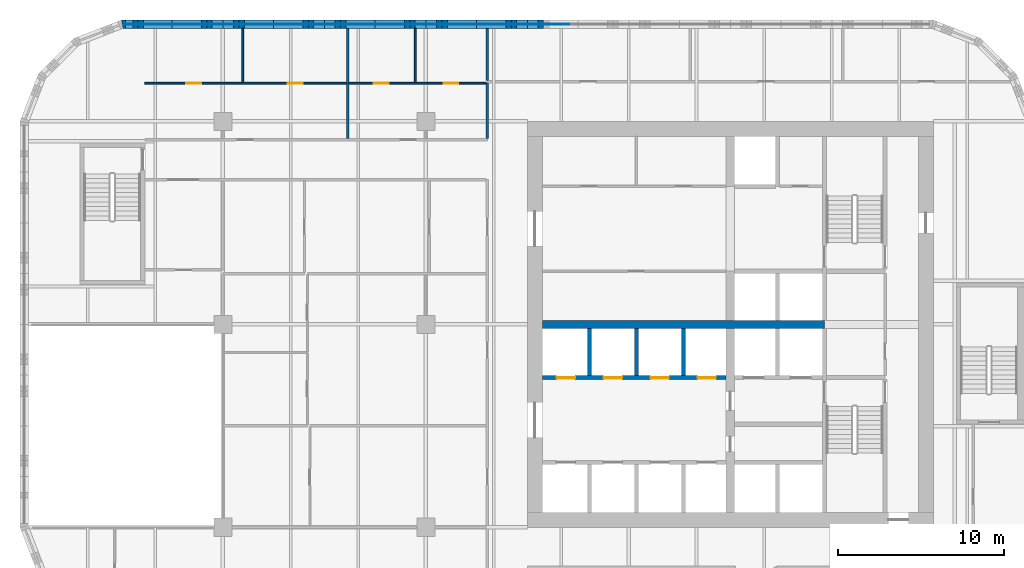
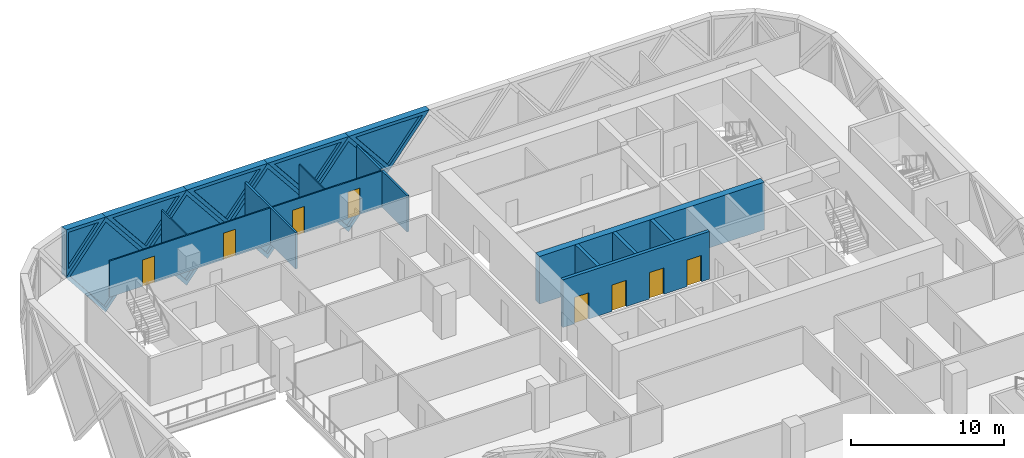
# One storey, part 11 of 24: 21 walls, 9 plates, 8 doors, 17 openings.
"""IFC4 building model written with IfcOpenShell, lengths in metres."""

from ifc_helpers import new_model, si_unit, direction, frame, frame_2d, origin, place, context, subcontext, project, spatial, polyline, rectangle, outline, extrude, faceted_brep, source, transform, mapped, material, layer, layer_set, type_object, element, fill, save


model = new_model("IFC4")

# Units and contexts
model_context = context("Model", 3, precision=1e-05, world=origin(), true_north=direction((0.0, 1.0)))
body_context = subcontext(model_context, "Body", "Model", "MODEL_VIEW")
ifc_project = project(units=[si_unit("LENGTHUNIT", "METRE"), si_unit("AREAUNIT", "SQUARE_METRE"), si_unit("VOLUMEUNIT", "CUBIC_METRE"), si_unit("PLANEANGLEUNIT", "RADIAN"), si_unit("MASSUNIT", "GRAM", prefix="KILO")], contexts=[model_context])

# Site, building, storey
site_placement = place(None, origin())
site = spatial("IfcSite", under=ifc_project, at=site_placement, CompositionType="ELEMENT")
building_placement = place(site_placement, origin())
building = spatial("IfcBuilding", under=site, at=building_placement, Name="Tessera Gate Towers", CompositionType="ELEMENT")
storey_placement = place(building_placement, frame((0.0, 0.0, 60.0)))
storey = spatial("IfcBuildingStorey", under=building, at=storey_placement, Name="L14", CompositionType="ELEMENT", Elevation=60.0)

# Wall, openings, doors
ifc_material_1 = material(Name="Concrete C40/50", Category="concrete")
ifc_layer_1 = layer(ifc_material_1, 0.25)
ifc_layer_set_1 = layer_set([ifc_layer_1], Name="CORE ENCLOSURE WALL 250")
wall_type_1 = type_object("IfcWallType", Name="CORE ENCLOSURE WALL 250", PredefinedType="SOLIDWALL", material=ifc_layer_set_1)
wall_1_placement = place(storey_placement, frame((42.449951171875, 33.39990234375, 0.0), z_axis=(0.0, 0.0, 1.0), x_axis=(-1.0, 0.0, 0.0)))
wall_1 = element("IfcWall", 1, at=wall_1_placement, inside=storey, type_object=wall_type_1, Name="L14 shaft and stair enclosure wall", PredefinedType="SOLIDWALL", context=body_context, shape_type="SweptSolid", body=[
    extrude(rectangle(XDim=11.050048828125, YDim=0.25, at=frame_2d((5.52490234375, 0.0))), origin(), (0.0, 0.0, 1.0), 3.800048828125),
])
shared_shape_1 = source(origin(), body_context, "Body", "SweptSolid", [
    extrude(rectangle(XDim=1.10009765625, YDim=2.10009765625, at=frame_2d((0.550048828125, 1.050048828125))), frame((0.0, 0.135009765625, 0.0), z_axis=(0.0, -1.0, 0.0), x_axis=(1.0, 0.0, 0.0)), (0.0, 0.0, 1.0), 0.27001953125),
])
opening_1_placement = place(wall_1_placement, frame((9.08740234375, 0.0, 0.0)))
opening_1 = element("IfcOpeningElement", 2, at=opening_1_placement, cuts=wall_1, Name="Opening LD-LR5", PredefinedType="OPENING", context=body_context, shape_type="MappedRepresentation", body=[
    mapped(shared_shape_1, transform((0.0, 0.0, 0.0), scale=1.0)),
])
opening_2_placement = place(wall_1_placement, frame((6.262451171875, 0.0, 0.0)))
opening_2 = element("IfcOpeningElement", 3, at=opening_2_placement, cuts=wall_1, Name="Opening LD-LR6", PredefinedType="OPENING", context=body_context, shape_type="MappedRepresentation", body=[
    mapped(shared_shape_1, transform((0.0, 0.0, 0.0), scale=1.0)),
])
opening_3_placement = place(wall_1_placement, frame((3.4375, 0.0, 0.0)))
opening_3 = element("IfcOpeningElement", 4, at=opening_3_placement, cuts=wall_1, Name="Opening LD-LR7", PredefinedType="OPENING", context=body_context, shape_type="MappedRepresentation", body=[
    mapped(shared_shape_1, transform((0.0, 0.0, 0.0), scale=1.0)),
])
opening_4_placement = place(wall_1_placement, frame((0.612548828125, 0.0, 0.0)))
opening_4 = element("IfcOpeningElement", 5, at=opening_4_placement, cuts=wall_1, Name="Opening LD-LR8", PredefinedType="OPENING", context=body_context, shape_type="MappedRepresentation", body=[
    mapped(shared_shape_1, transform((0.0, 0.0, 0.0), scale=1.0)),
])
ifc_material_2 = material(Name="Stainless steel", Category="steel")
door_type_1 = type_object("IfcDoorType", Name="CORE DOOR LD 1100x2100", OperationType="DOUBLE_DOOR_SLIDING", PredefinedType="DOOR", material=ifc_material_2)
shared_shape_2 = source(origin(), body_context, "Body", "SweptSolid", [
    extrude(rectangle(XDim=1.10009765625, YDim=2.10009765625, at=frame_2d((0.550048828125, 1.050048828125))), frame((0.0, 0.02490234375, 0.0), z_axis=(0.0, -1.0, 0.0), x_axis=(1.0, 0.0, 0.0)), (0.0, 0.0, 1.0), 0.050048828125),
])
door_1_placement = place(opening_1_placement, origin())
door_1 = element("IfcDoor", 6, at=door_1_placement, inside=storey, type_object=door_type_1, Name="Landing door LR5 L14", OperationType="DOUBLE_DOOR_SLIDING", OverallHeight=2.10009765625, OverallWidth=1.10009765625, PredefinedType="DOOR", context=body_context, shape_type="MappedRepresentation", body=[
    mapped(shared_shape_2, transform((0.0, 0.0, 0.0), scale=1.0)),
])
fill(opening_1, door_1)
door_2_placement = place(opening_2_placement, origin())
door_2 = element("IfcDoor", 7, at=door_2_placement, inside=storey, type_object=door_type_1, Name="Landing door LR6 L14", OperationType="DOUBLE_DOOR_SLIDING", OverallHeight=2.10009765625, OverallWidth=1.10009765625, PredefinedType="DOOR", context=body_context, shape_type="MappedRepresentation", body=[
    mapped(shared_shape_2, transform((0.0, 0.0, 0.0), scale=1.0)),
])
fill(opening_2, door_2)
door_3_placement = place(opening_3_placement, origin())
door_3 = element("IfcDoor", 8, at=door_3_placement, inside=storey, type_object=door_type_1, Name="Landing door LR7 L14", OperationType="DOUBLE_DOOR_SLIDING", OverallHeight=2.10009765625, OverallWidth=1.10009765625, PredefinedType="DOOR", context=body_context, shape_type="MappedRepresentation", body=[
    mapped(shared_shape_2, transform((0.0, 0.0, 0.0), scale=1.0)),
])
fill(opening_3, door_3)
door_4_placement = place(opening_4_placement, origin())
door_4 = element("IfcDoor", 9, at=door_4_placement, inside=storey, type_object=door_type_1, Name="Landing door LR8 L14", OperationType="DOUBLE_DOOR_SLIDING", OverallHeight=2.10009765625, OverallWidth=1.10009765625, PredefinedType="DOOR", context=body_context, shape_type="MappedRepresentation", body=[
    mapped(shared_shape_2, transform((0.0, 0.0, 0.0), scale=1.0)),
])
fill(opening_4, door_4)

# Walls
for number, where, z_axis, x_axis, name in (
    (10, (34.22509765625, 33.52490234375, 0.0), (0.0, 0.0, 1.0), (0.0, 1.0, 0.0), "L14 shaft and stair enclosure wall"),
    (11, (37.050048828125, 33.52490234375, 0.0), (0.0, 0.0, 1.0), (0.0, 1.0, 0.0), "L14 shaft and stair enclosure wall"),
    (12, (39.875, 33.52490234375, 0.0), (0.0, 0.0, 1.0), (0.0, 1.0, 0.0), "L14 shaft and stair enclosure wall"),
):
    element("IfcWall", number, at=place(storey_placement, frame(where, z_axis=z_axis, x_axis=x_axis)), inside=storey, type_object=wall_type_1, Name=name, PredefinedType="SOLIDWALL", context=body_context, shape_type="SweptSolid", body=[
        extrude(rectangle(XDim=2.8251953125, YDim=0.25, at=frame_2d((1.41259765625, 0.0))), origin(), (0.0, 0.0, 1.0), 3.800048828125),
    ])
ifc_material_3 = material(Name="Concrete C70/85", Category="concrete")
ifc_layer_2 = layer(ifc_material_3, 0.5)
ifc_layer_set_2 = layer_set([ifc_layer_2], Name="CORE SPINE WALL 500 C70/85")
wall_type_2 = type_object("IfcWallType", Name="CORE SPINE WALL 500 C70/85", PredefinedType="SHEAR", material=ifc_layer_set_2)
wall_2_placement = place(storey_placement, frame((31.39990234375, 36.60009765625, 0.0), z_axis=(0.0, 0.0, 1.0), x_axis=(1.0, 0.0, 0.0)))
element("IfcWall", 13, at=wall_2_placement, inside=storey, type_object=wall_type_2, Name="Core wall spine L14", PredefinedType="SHEAR", context=body_context, shape_type="SweptSolid", body=[
    extrude(rectangle(XDim=16.9501953125, YDim=0.5, at=frame_2d((8.47509765625, 0.0))), origin(), (0.0, 0.0, 1.0), 3.800048828125),
])
ifc_material_4 = material(Name="Gypsum board on steel studs, mineral wool", Category="steel")
ifc_layer_3 = layer(ifc_material_4, 0.14990234375)
ifc_layer_set_3 = layer_set([ifc_layer_3], Name="CORRIDOR WALL 150")
wall_type_3 = type_object("IfcWallType", Name="CORRIDOR WALL 150", PredefinedType="PARTITIONING", material=ifc_layer_set_3)
wall_3_placement = place(storey_placement, frame((28.10009765625, 47.77587890625, 0.0), z_axis=(0.0, 0.0, 1.0), x_axis=(0.0, 1.0, 0.0)))
element("IfcWall", 14, at=wall_3_placement, inside=storey, type_object=wall_type_3, Name="T1-L14-PW-040", PredefinedType="PARTITIONING", context=body_context, shape_type="SweptSolid", body=[
    extrude(rectangle(XDim=3.32421875, YDim=0.14990234375, at=frame_2d((1.662109375, 0.0))), origin(), (0.0, 0.0, 1.0), 2.887939453125),
])

# Wall, openings, doors
ifc_material_5 = material(Name="Gypsum board on steel studs", Category="steel")
ifc_layer_4 = layer(ifc_material_5, 0.10009765625)
ifc_layer_set_4 = layer_set([ifc_layer_4], Name="PARTITION 100")
wall_type_4 = type_object("IfcWallType", Name="PARTITION 100", PredefinedType="PARTITIONING", material=ifc_layer_set_4)
wall_4_placement = place(storey_placement, frame((7.5, 51.10009765625, 0.0), z_axis=(0.0, 0.0, 1.0), x_axis=(1.0, 0.0, 0.0)))
wall_4 = element("IfcWall", 15, at=wall_4_placement, inside=storey, type_object=wall_type_4, Name="T1-L14-PW-043", PredefinedType="PARTITIONING", context=body_context, shape_type="SweptSolid", body=[
    extrude(rectangle(XDim=12.1240234375, YDim=0.10009765625, at=frame_2d((6.06201171875, 0.0))), origin(), (0.0, 0.0, 1.0), 2.887939453125),
])
shared_shape_3 = source(origin(), body_context, "Body", "SweptSolid", [
    extrude(rectangle(XDim=0.89990234375, YDim=2.10009765625, at=frame_2d((0.449951171875, 1.050048828125))), frame((0.0, 0.06005859375, 0.0), z_axis=(0.0, -1.0, 0.0), x_axis=(1.0, 0.0, 0.0)), (0.0, 0.0, 1.0), 0.1201171875),
])
opening_5_placement = place(wall_4_placement, frame((2.5, 0.0, 0.0)))
opening_5 = element("IfcOpeningElement", 16, at=opening_5_placement, cuts=wall_4, Name="Opening D190-A05-08", PredefinedType="OPENING", context=body_context, shape_type="MappedRepresentation", body=[
    mapped(shared_shape_3, transform((0.0, 0.0, 0.0), scale=1.0)),
])
opening_6_placement = place(wall_4_placement, frame((8.59375, 0.0, 0.0)))
opening_6 = element("IfcOpeningElement", 17, at=opening_6_placement, cuts=wall_4, Name="Opening D190-A05-10", PredefinedType="OPENING", context=body_context, shape_type="MappedRepresentation", body=[
    mapped(shared_shape_3, transform((0.0, 0.0, 0.0), scale=1.0)),
])
ifc_material_6 = material(Name="Timber door leaf in steel frame", Category="steel")
door_type_2 = type_object("IfcDoorType", Name="INTERNAL DOOR 900 NOT RATED", OperationType="NOTDEFINED", PredefinedType="DOOR", material=ifc_material_6)
shared_shape_4 = source(origin(), body_context, "Body", "SweptSolid", [
    extrude(rectangle(XDim=0.89990234375, YDim=2.10009765625, at=frame_2d((0.449951171875, 1.050048828125))), frame((0.0, 0.02490234375, 0.0), z_axis=(0.0, -1.0, 0.0), x_axis=(1.0, 0.0, 0.0)), (0.0, 0.0, 1.0), 0.050048828125),
])
door_5_placement = place(opening_5_placement, origin())
door_5 = element("IfcDoor", 18, at=door_5_placement, inside=storey, type_object=door_type_2, Name="T1-L14-PD-012", OperationType="SINGLE_SWING_LEFT", OverallHeight=2.10009765625, OverallWidth=0.89990234375, PredefinedType="DOOR", context=body_context, shape_type="MappedRepresentation", body=[
    mapped(shared_shape_4, transform((0.0, 0.0, 0.0), scale=1.0)),
])
fill(opening_5, door_5)
door_6_placement = place(opening_6_placement, origin())
door_6 = element("IfcDoor", 19, at=door_6_placement, inside=storey, type_object=door_type_2, Name="T1-L14-PD-016", OperationType="SINGLE_SWING_LEFT", OverallHeight=2.10009765625, OverallWidth=0.89990234375, PredefinedType="DOOR", context=body_context, shape_type="MappedRepresentation", body=[
    mapped(shared_shape_4, transform((0.0, 0.0, 0.0), scale=1.0)),
])
fill(opening_6, door_6)

wall_5_placement = place(storey_placement, frame((19.77587890625, 51.10009765625, 0.0), z_axis=(0.0, 0.0, 1.0), x_axis=(1.0, 0.0, 0.0)))
wall_5 = element("IfcWall", 20, at=wall_5_placement, inside=storey, type_object=wall_type_4, Name="T1-L14-PW-044", PredefinedType="PARTITIONING", context=body_context, shape_type="SweptSolid", body=[
    extrude(rectangle(XDim=8.248046875, YDim=0.10009765625, at=frame_2d((4.1240234375, 0.0))), origin(), (0.0, 0.0, 1.0), 2.887939453125),
])
opening_7_placement = place(wall_5_placement, frame((1.5, 0.0, 0.0)))
opening_7 = element("IfcOpeningElement", 21, at=opening_7_placement, cuts=wall_5, Name="Opening D190-A05-01", PredefinedType="OPENING", context=body_context, shape_type="MappedRepresentation", body=[
    mapped(shared_shape_3, transform((0.0, 0.0, 0.0), scale=1.0)),
])
opening_8_placement = place(wall_5_placement, frame((5.681884765625, 0.0, 0.0)))
opening_8 = element("IfcOpeningElement", 22, at=opening_8_placement, cuts=wall_5, Name="Opening D190-A05-02", PredefinedType="OPENING", context=body_context, shape_type="MappedRepresentation", body=[
    mapped(shared_shape_3, transform((0.0, 0.0, 0.0), scale=1.0)),
])
door_7_placement = place(opening_7_placement, origin())
door_7 = element("IfcDoor", 23, at=door_7_placement, inside=storey, type_object=door_type_2, Name="T1-L14-PD-002", OperationType="SINGLE_SWING_LEFT", OverallHeight=2.10009765625, OverallWidth=0.89990234375, PredefinedType="DOOR", context=body_context, shape_type="MappedRepresentation", body=[
    mapped(shared_shape_4, transform((0.0, 0.0, 0.0), scale=1.0)),
])
fill(opening_7, door_7)
door_8_placement = place(opening_8_placement, origin())
door_8 = element("IfcDoor", 24, at=door_8_placement, inside=storey, type_object=door_type_2, Name="T1-L14-PD-003", OperationType="SINGLE_SWING_LEFT", OverallHeight=2.10009765625, OverallWidth=0.89990234375, PredefinedType="DOOR", context=body_context, shape_type="MappedRepresentation", body=[
    mapped(shared_shape_4, transform((0.0, 0.0, 0.0), scale=1.0)),
])
fill(opening_8, door_8)

# Walls
for number, where, z_axis, x_axis, name in (
    (25, (13.39404296875, 51.15087890625, 0.0), (0.0, 0.0, 1.0), (0.0, 1.0, 0.0), "T1-L14-PW-045"),
    (26, (23.758056640625, 51.15087890625, 0.0), (0.0, 0.0, 1.0), (0.0, 1.0, 0.0), "T1-L14-PW-046"),
):
    element("IfcWall", number, at=place(storey_placement, frame(where, z_axis=z_axis, x_axis=x_axis)), inside=storey, type_object=wall_type_4, Name=name, PredefinedType="PARTITIONING", context=body_context, shape_type="SweptSolid", body=[
        extrude(rectangle(XDim=3.2490234375, YDim=0.10009765625, at=frame_2d((1.62451171875, 0.0))), origin(), (0.0, 0.0, 1.0), 2.887939453125),
    ])
ifc_material_7 = material(Name="Gypsum board on steel studs, mineral wool", Category="steel")
ifc_layer_5 = layer(ifc_material_7, 0.14990234375)
ifc_layer_set_5 = layer_set([ifc_layer_5], Name="TENANCY WALL 150")
wall_type_5 = type_object("IfcWallType", Name="TENANCY WALL 150", PredefinedType="PARTITIONING", material=ifc_layer_set_5)
wall_6_placement = place(storey_placement, frame((19.699951171875, 47.77587890625, 0.0), z_axis=(0.0, 0.0, 1.0), x_axis=(0.0, 1.0, 0.0)))
element("IfcWall", 27, at=wall_6_placement, inside=storey, type_object=wall_type_5, Name="T1-L14-PW-039", PredefinedType="PARTITIONING", context=body_context, shape_type="SweptSolid", body=[
    extrude(rectangle(XDim=6.6240234375, YDim=0.14990234375, at=frame_2d((3.31201171875, 0.0))), origin(), (0.0, 0.0, 1.0), 2.887939453125),
])
wall_7_placement = place(storey_placement, frame((28.10009765625, 51.27587890625, 0.0), z_axis=(0.0, 0.0, 1.0), x_axis=(0.0, 1.0, 0.0)))
element("IfcWall", 28, at=wall_7_placement, inside=storey, type_object=wall_type_5, Name="T1-L14-PW-048", PredefinedType="PARTITIONING", context=body_context, shape_type="SweptSolid", body=[
    extrude(rectangle(XDim=3.1240234375, YDim=0.14990234375, at=frame_2d((1.56201171875, 0.0))), origin(), (0.0, 0.0, 1.0), 2.887939453125),
])

# Wall, opening, plate
ifc_material_8 = material(Name="Precast concrete C60/75 white", Category="concrete")
ifc_layer_6 = layer(ifc_material_8, 0.5)
ifc_layer_set_6 = layer_set([ifc_layer_6], Name="TS1 tessera")
wall_type_6 = type_object("IfcWallType", Name="TS1 tessera", PredefinedType="SOLIDWALL", material=ifc_layer_set_6)
shared_shape_5 = source(origin(), body_context, "Body", "Brep", [
    faceted_brep([(3.050048828125, -0.25, 0.0), (6.099853515625, -0.25, 3.7998046875), (6.099853515625, -0.25, 3.80029296875), (3.050048828125, -0.25, 7.60009765625), (0.0, -0.25, 3.800048828125), (0.0, 0.25, 3.800048828125), (3.050048828125, 0.25, 7.60009765625), (6.099853515625, 0.25, 3.80029296875), (6.099853515625, 0.25, 3.7998046875), (3.050048828125, 0.25, 0.0)], [[[0, 1, 2, 3, 4]], [[5, 6, 7, 8, 9]], [[9, 8, 1, 0]], [[7, 6, 3, 2]], [[6, 5, 4, 3]], [[5, 9, 0, 4]], [[1, 8, 7, 2]]]),
])
wall_8_placement = place(storey_placement, frame((24.39990234375, 54.64990234375, -3.800048828125), z_axis=(0.0, 0.0, 1.0), x_axis=(-1.0, 0.0, 0.0)))
wall_8 = element("IfcWall", 29, at=wall_8_placement, inside=storey, type_object=wall_type_6, Name="Precast tessera T1 TS1-0222", PredefinedType="SOLIDWALL", context=body_context, shape_type="MappedRepresentation", body=[
    mapped(shared_shape_5, transform((0.0, 0.0, 0.0), scale=1.0)),
])
shared_shape_6 = source(origin(), body_context, "Body", "SweptSolid", [
    extrude(outline(polyline([(3.050048828125, 0.3994140625), (5.779541015625, 3.800048828125), (3.050048828125, 7.20068359375), (0.320556640625, 3.800048828125), (3.050048828125, 0.3994140625)])), frame((0.0, 0.260009765625, 0.0), z_axis=(0.0, -1.0, 0.0), x_axis=(1.0, 0.0, 0.0)), (0.0, 0.0, 1.0), 0.52001953125),
])
opening_9_placement = place(wall_8_placement, origin())
opening_9 = element("IfcOpeningElement", 30, at=opening_9_placement, cuts=wall_8, Name="Opening T1-PL2-0446", PredefinedType="OPENING", context=body_context, shape_type="MappedRepresentation", body=[
    mapped(shared_shape_6, transform((0.0, 0.0, 0.0), scale=1.0)),
])
ifc_material_9 = material(Name="Low-e laminated glass", Category="glass")
ifc_layer_7 = layer(ifc_material_9, 0.06005859375)
ifc_layer_set_7 = layer_set([ifc_layer_7], Name="PL2 rhombic pane")
plate_type_1 = type_object("IfcPlateType", Name="PL2 rhombic pane", PredefinedType="SHEET", material=ifc_layer_set_7)
shared_shape_7 = source(origin(), body_context, "Body", "SweptSolid", [
    extrude(outline(polyline([(3.050048828125, 0.3994140625), (5.779541015625, 3.800048828125), (3.050048828125, 7.20068359375), (0.320556640625, 3.800048828125), (3.050048828125, 0.3994140625)])), frame((0.0, 0.030029296875, 0.0), z_axis=(0.0, -1.0, 0.0), x_axis=(1.0, 0.0, 0.0)), (0.0, 0.0, 1.0), 0.06005859375),
])
plate_1_placement = place(opening_9_placement, origin())
plate_1 = element("IfcPlate", 31, at=plate_1_placement, inside=storey, type_object=plate_type_1, Name="Glass pane T1 PL2-0446", PredefinedType="SHEET", context=body_context, shape_type="MappedRepresentation", body=[
    mapped(shared_shape_7, transform((0.0, 0.0, 0.0), scale=1.0)),
])
fill(opening_9, plate_1)

shared_shape_8 = source(origin(), body_context, "Body", "SweptSolid", [
    extrude(outline(polyline([(3.050048828125, 0.0), (6.10009765625, 3.800048828125), (3.050048828125, 7.60009765625), (0.0, 3.800048828125), (3.050048828125, 0.0)])), frame((0.0, 0.25, 0.0), z_axis=(0.0, -1.0, 0.0), x_axis=(1.0, 0.0, 0.0)), (0.0, 0.0, 1.0), 0.5),
])
wall_9_placement = place(storey_placement, frame((30.5, 54.64990234375, -3.800048828125), z_axis=(0.0, 0.0, 1.0), x_axis=(-1.0, 0.0, 0.0)))
wall_9 = element("IfcWall", 32, at=wall_9_placement, inside=storey, type_object=wall_type_6, Name="Precast tessera T1 TS1-0221", PredefinedType="SOLIDWALL", context=body_context, shape_type="MappedRepresentation", body=[
    mapped(shared_shape_8, transform((0.0, 0.0, 0.0), scale=1.0)),
])
opening_10_placement = place(wall_9_placement, origin())
opening_10 = element("IfcOpeningElement", 33, at=opening_10_placement, cuts=wall_9, Name="Opening T1-PL2-0445", PredefinedType="OPENING", context=body_context, shape_type="MappedRepresentation", body=[
    mapped(shared_shape_6, transform((0.0, 0.0, 0.0), scale=1.0)),
])
plate_2_placement = place(opening_10_placement, origin())
plate_2 = element("IfcPlate", 34, at=plate_2_placement, inside=storey, type_object=plate_type_1, Name="Glass pane T1 PL2-0445", PredefinedType="SHEET", context=body_context, shape_type="MappedRepresentation", body=[
    mapped(shared_shape_7, transform((0.0, 0.0, 0.0), scale=1.0)),
])
fill(opening_10, plate_2)

wall_10_placement = place(storey_placement, frame((18.300048828125, 54.64990234375, -3.800048828125), z_axis=(0.0, 0.0, 1.0), x_axis=(-1.0, 0.0, 0.0)))
wall_10 = element("IfcWall", 35, at=wall_10_placement, inside=storey, type_object=wall_type_6, Name="Precast tessera T1 TS1-0223", PredefinedType="SOLIDWALL", context=body_context, shape_type="MappedRepresentation", body=[
    mapped(shared_shape_8, transform((0.0, 0.0, 0.0), scale=1.0)),
])
opening_11_placement = place(wall_10_placement, origin())
opening_11 = element("IfcOpeningElement", 36, at=opening_11_placement, cuts=wall_10, Name="Opening T1-PL2-0447", PredefinedType="OPENING", context=body_context, shape_type="MappedRepresentation", body=[
    mapped(shared_shape_6, transform((0.0, 0.0, 0.0), scale=1.0)),
])
plate_3_placement = place(opening_11_placement, origin())
plate_3 = element("IfcPlate", 37, at=plate_3_placement, inside=storey, type_object=plate_type_1, Name="Glass pane T1 PL2-0447", PredefinedType="SHEET", context=body_context, shape_type="MappedRepresentation", body=[
    mapped(shared_shape_7, transform((0.0, 0.0, 0.0), scale=1.0)),
])
fill(opening_11, plate_3)

shared_shape_9 = source(origin(), body_context, "Body", "Brep", [
    faceted_brep([(3.050048828125, -0.25, 0.0), (6.053466796875, -0.25, 3.800048828125), (3.050048828125, -0.25, 7.60009765625), (0.0, -0.25, 3.800048828125), (0.0, 0.25, 3.800048828125), (3.050048828125, 0.25, 7.60009765625), (6.0068359375, 0.25, 3.85888671875), (6.0068359375, 0.25, 3.7412109375), (3.050048828125, 0.25, 0.0), (6.053466796875, 0.0, 3.800048828125)], [[[0, 1, 2, 3]], [[4, 5, 6, 7, 8]], [[8, 7, 9, 1, 0]], [[6, 5, 2, 1, 9]], [[5, 4, 3, 2]], [[4, 8, 0, 3]], [[9, 7, 6]]]),
])
wall_11_placement = place(storey_placement, frame((12.199951171875, 54.64990234375, -3.800048828125), z_axis=(0.0, 0.0, 1.0), x_axis=(-1.0, 0.0, 0.0)))
wall_11 = element("IfcWall", 38, at=wall_11_placement, inside=storey, type_object=wall_type_6, Name="Precast tessera T1 TS1-0224", PredefinedType="SOLIDWALL", context=body_context, shape_type="MappedRepresentation", body=[
    mapped(shared_shape_9, transform((0.0, 0.0, 0.0), scale=1.0)),
])
shared_shape_10 = source(origin(), body_context, "Body", "SweptSolid", [
    extrude(outline(polyline([(3.048583984375, 0.4013671875), (5.73486328125, 3.800048828125), (3.048583984375, 7.19873046875), (0.320556640625, 3.800048828125), (3.048583984375, 0.4013671875)])), frame((0.0, 0.260009765625, 0.0), z_axis=(0.0, -1.0, 0.0), x_axis=(1.0, 0.0, 0.0)), (0.0, 0.0, 1.0), 0.52001953125),
])
opening_12_placement = place(wall_11_placement, origin())
opening_12 = element("IfcOpeningElement", 39, at=opening_12_placement, cuts=wall_11, Name="Opening T1-PL2-0448", PredefinedType="OPENING", context=body_context, shape_type="MappedRepresentation", body=[
    mapped(shared_shape_10, transform((0.0, 0.0, 0.0), scale=1.0)),
])
shared_shape_11 = source(origin(), body_context, "Body", "SweptSolid", [
    extrude(outline(polyline([(3.048583984375, 0.4013671875), (5.73486328125, 3.800048828125), (3.048583984375, 7.19873046875), (0.320556640625, 3.800048828125), (3.048583984375, 0.4013671875)])), frame((0.0, 0.030029296875, 0.0), z_axis=(0.0, -1.0, 0.0), x_axis=(1.0, 0.0, 0.0)), (0.0, 0.0, 1.0), 0.06005859375),
])
plate_4_placement = place(opening_12_placement, origin())
plate_4 = element("IfcPlate", 40, at=plate_4_placement, inside=storey, type_object=plate_type_1, Name="Glass pane T1 PL2-0448", PredefinedType="SHEET", context=body_context, shape_type="MappedRepresentation", body=[
    mapped(shared_shape_11, transform((0.0, 0.0, 0.0), scale=1.0)),
])
fill(opening_12, plate_4)

ifc_material_10 = material(Name="Precast concrete C60/75 white", Category="concrete")
ifc_layer_8 = layer(ifc_material_10, 0.5)
ifc_layer_set_8 = layer_set([ifc_layer_8], Name="TS2 half tessera")
wall_type_7 = type_object("IfcWallType", Name="TS2 half tessera", PredefinedType="SOLIDWALL", material=ifc_layer_set_8)
shared_shape_12 = source(origin(), body_context, "Body", "Brep", [
    faceted_brep([(3.050048828125, -0.25, 0.0), (6.099853515625, -0.25, 3.7998046875), (6.099853515625, -0.25, 3.800048828125), (0.0, -0.25, 3.800048828125), (0.0, 0.25, 3.800048828125), (6.099853515625, 0.25, 3.800048828125), (6.099853515625, 0.25, 3.7998046875), (3.050048828125, 0.25, 0.0)], [[[0, 1, 2, 3]], [[4, 5, 6, 7]], [[7, 6, 1, 0]], [[5, 4, 3, 2]], [[4, 7, 0, 3]], [[1, 6, 5, 2]]]),
])
wall_12_placement = place(storey_placement, frame((27.449951171875, 54.64990234375, 0.0), z_axis=(0.0, 0.0, 1.0), x_axis=(-1.0, 0.0, 0.0)))
wall_12 = element("IfcWall", 41, at=wall_12_placement, inside=storey, type_object=wall_type_7, Name="Precast half tessera T1 TS2-0083", PredefinedType="SOLIDWALL", context=body_context, shape_type="MappedRepresentation", body=[
    mapped(shared_shape_12, transform((0.0, 0.0, 0.0), scale=1.0)),
])
shared_shape_13 = source(origin(), body_context, "Body", "SweptSolid", [
    extrude(outline(polyline([(3.050048828125, 0.3994140625), (5.578857421875, 3.550048828125), (0.521240234375, 3.550048828125), (3.050048828125, 0.3994140625)])), frame((0.0, 0.260009765625, 0.0), z_axis=(0.0, -1.0, 0.0), x_axis=(1.0, 0.0, 0.0)), (0.0, 0.0, 1.0), 0.52001953125),
])
opening_13_placement = place(wall_12_placement, origin())
opening_13 = element("IfcOpeningElement", 42, at=opening_13_placement, cuts=wall_12, Name="Opening T1-PL1-0165", PredefinedType="OPENING", context=body_context, shape_type="MappedRepresentation", body=[
    mapped(shared_shape_13, transform((0.0, 0.0, 0.0), scale=1.0)),
])
ifc_material_11 = material(Name="Low-e laminated glass", Category="glass")
ifc_layer_9 = layer(ifc_material_11, 0.06005859375)
ifc_layer_set_9 = layer_set([ifc_layer_9], Name="PL1 triangular pane")
plate_type_2 = type_object("IfcPlateType", Name="PL1 triangular pane", PredefinedType="SHEET", material=ifc_layer_set_9)
shared_shape_14 = source(origin(), body_context, "Body", "SweptSolid", [
    extrude(outline(polyline([(3.050048828125, 0.3994140625), (5.578857421875, 3.550048828125), (0.521240234375, 3.550048828125), (3.050048828125, 0.3994140625)])), frame((0.0, 0.030029296875, 0.0), z_axis=(0.0, -1.0, 0.0), x_axis=(1.0, 0.0, 0.0)), (0.0, 0.0, 1.0), 0.06005859375),
])
plate_5_placement = place(opening_13_placement, origin())
plate_5 = element("IfcPlate", 43, at=plate_5_placement, inside=storey, type_object=plate_type_2, Name="Glass pane T1 PL1-0165", PredefinedType="SHEET", context=body_context, shape_type="MappedRepresentation", body=[
    mapped(shared_shape_14, transform((0.0, 0.0, 0.0), scale=1.0)),
])
fill(opening_13, plate_5)

shared_shape_15 = source(origin(), body_context, "Body", "SweptSolid", [
    extrude(outline(polyline([(3.050048828125, 0.0), (6.10009765625, 3.800048828125), (0.0, 3.800048828125), (3.050048828125, 0.0)])), frame((0.0, 0.25, 0.0), z_axis=(0.0, -1.0, 0.0), x_axis=(1.0, 0.0, 0.0)), (0.0, 0.0, 1.0), 0.5),
])
wall_13_placement = place(storey_placement, frame((33.550048828125, 54.64990234375, 0.0), z_axis=(0.0, 0.0, 1.0), x_axis=(-1.0, 0.0, 0.0)))
wall_13 = element("IfcWall", 44, at=wall_13_placement, inside=storey, type_object=wall_type_7, Name="Precast half tessera T1 TS2-0082", PredefinedType="SOLIDWALL", context=body_context, shape_type="MappedRepresentation", body=[
    mapped(shared_shape_15, transform((0.0, 0.0, 0.0), scale=1.0)),
])
opening_14_placement = place(wall_13_placement, origin())
opening_14 = element("IfcOpeningElement", 45, at=opening_14_placement, cuts=wall_13, Name="Opening T1-PL1-0164", PredefinedType="OPENING", context=body_context, shape_type="MappedRepresentation", body=[
    mapped(shared_shape_13, transform((0.0, 0.0, 0.0), scale=1.0)),
])
plate_6_placement = place(opening_14_placement, origin())
plate_6 = element("IfcPlate", 46, at=plate_6_placement, inside=storey, type_object=plate_type_2, Name="Glass pane T1 PL1-0164", PredefinedType="SHEET", context=body_context, shape_type="MappedRepresentation", body=[
    mapped(shared_shape_14, transform((0.0, 0.0, 0.0), scale=1.0)),
])
fill(opening_14, plate_6)

wall_14_placement = place(storey_placement, frame((21.35009765625, 54.64990234375, 0.0), z_axis=(0.0, 0.0, 1.0), x_axis=(-1.0, 0.0, 0.0)))
wall_14 = element("IfcWall", 47, at=wall_14_placement, inside=storey, type_object=wall_type_7, Name="Precast half tessera T1 TS2-0084", PredefinedType="SOLIDWALL", context=body_context, shape_type="MappedRepresentation", body=[
    mapped(shared_shape_15, transform((0.0, 0.0, 0.0), scale=1.0)),
])
opening_15_placement = place(wall_14_placement, origin())
opening_15 = element("IfcOpeningElement", 48, at=opening_15_placement, cuts=wall_14, Name="Opening T1-PL1-0166", PredefinedType="OPENING", context=body_context, shape_type="MappedRepresentation", body=[
    mapped(shared_shape_13, transform((0.0, 0.0, 0.0), scale=1.0)),
])
plate_7_placement = place(opening_15_placement, origin())
plate_7 = element("IfcPlate", 49, at=plate_7_placement, inside=storey, type_object=plate_type_2, Name="Glass pane T1 PL1-0166", PredefinedType="SHEET", context=body_context, shape_type="MappedRepresentation", body=[
    mapped(shared_shape_14, transform((0.0, 0.0, 0.0), scale=1.0)),
])
fill(opening_15, plate_7)

wall_15_placement = place(storey_placement, frame((15.25, 54.64990234375, 0.0), z_axis=(0.0, 0.0, 1.0), x_axis=(-1.0, 0.0, 0.0)))
wall_15 = element("IfcWall", 50, at=wall_15_placement, inside=storey, type_object=wall_type_7, Name="Precast half tessera T1 TS2-0085", PredefinedType="SOLIDWALL", context=body_context, shape_type="MappedRepresentation", body=[
    mapped(shared_shape_15, transform((0.0, 0.0, 0.0), scale=1.0)),
])
opening_16_placement = place(wall_15_placement, origin())
opening_16 = element("IfcOpeningElement", 51, at=opening_16_placement, cuts=wall_15, Name="Opening T1-PL1-0167", PredefinedType="OPENING", context=body_context, shape_type="MappedRepresentation", body=[
    mapped(shared_shape_13, transform((0.0, 0.0, 0.0), scale=1.0)),
])
plate_8_placement = place(opening_16_placement, origin())
plate_8 = element("IfcPlate", 52, at=plate_8_placement, inside=storey, type_object=plate_type_2, Name="Glass pane T1 PL1-0167", PredefinedType="SHEET", context=body_context, shape_type="MappedRepresentation", body=[
    mapped(shared_shape_14, transform((0.0, 0.0, 0.0), scale=1.0)),
])
fill(opening_16, plate_8)

ifc_material_12 = material(Name="Precast concrete C60/75 white", Category="concrete")
ifc_layer_10 = layer(ifc_material_12, 0.5)
ifc_layer_set_10 = layer_set([ifc_layer_10], Name="TS3 corner tessera")
wall_type_8 = type_object("IfcWallType", Name="TS3 corner tessera", PredefinedType="SOLIDWALL", material=ifc_layer_set_10)
shared_shape_16 = source(origin(), body_context, "Body", "Brep", [
    faceted_brep([(3.00341796875, -0.25, 0.0), (3.050048828125, -0.25, 0.06005859375), (3.050048828125, -0.25, 3.800048828125), (0.0, -0.25, 3.800048828125), (0.0, 0.25, 3.800048828125), (2.956787109375, 0.25, 3.800048828125), (2.956787109375, 0.25, 0.058837890625), (3.00341796875, 0.000244140625, 0.0)], [[[0, 1, 2, 3]], [[4, 5, 6]], [[1, 0, 7]], [[5, 4, 3, 2]], [[4, 6, 7, 0, 3]], [[1, 7, 6, 5, 2]]]),
])
wall_16_placement = place(storey_placement, frame((9.14990234375, 54.64990234375, 0.0), z_axis=(0.0, 0.0, 1.0), x_axis=(-1.0, 0.0, 0.0)))
wall_16 = element("IfcWall", 53, at=wall_16_placement, inside=storey, type_object=wall_type_8, Name="Precast corner tessera T1 TS3-0323", PredefinedType="SOLIDWALL", context=body_context, shape_type="MappedRepresentation", body=[
    mapped(shared_shape_16, transform((0.0, 0.0, 0.0), scale=1.0)),
])
shared_shape_17 = source(origin(), body_context, "Body", "SweptSolid", [
    extrude(outline(polyline([(2.803466796875, 3.550048828125), (0.516357421875, 3.550048828125), (2.803466796875, 0.65625), (2.803466796875, 3.550048828125)])), frame((0.0, 0.260009765625, 0.0), z_axis=(0.0, -1.0, 0.0), x_axis=(1.0, 0.0, 0.0)), (0.0, 0.0, 1.0), 0.52001953125),
])
opening_17_placement = place(wall_16_placement, origin())
opening_17 = element("IfcOpeningElement", 54, at=opening_17_placement, cuts=wall_16, Name="Opening T1-PL1-0168", PredefinedType="OPENING", context=body_context, shape_type="MappedRepresentation", body=[
    mapped(shared_shape_17, transform((0.0, 0.0, 0.0), scale=1.0)),
])
shared_shape_18 = source(origin(), body_context, "Body", "SweptSolid", [
    extrude(outline(polyline([(2.803466796875, 3.550048828125), (0.516357421875, 3.550048828125), (2.803466796875, 0.65625), (2.803466796875, 3.550048828125)])), frame((0.0, 0.030029296875, 0.0), z_axis=(0.0, -1.0, 0.0), x_axis=(1.0, 0.0, 0.0)), (0.0, 0.0, 1.0), 0.06005859375),
])
plate_9_placement = place(opening_17_placement, origin())
plate_9 = element("IfcPlate", 55, at=plate_9_placement, inside=storey, type_object=plate_type_2, Name="Glass pane T1 PL1-0168", PredefinedType="SHEET", context=body_context, shape_type="MappedRepresentation", body=[
    mapped(shared_shape_18, transform((0.0, 0.0, 0.0), scale=1.0)),
])
fill(opening_17, plate_9)

save(model, "model.ifc")
